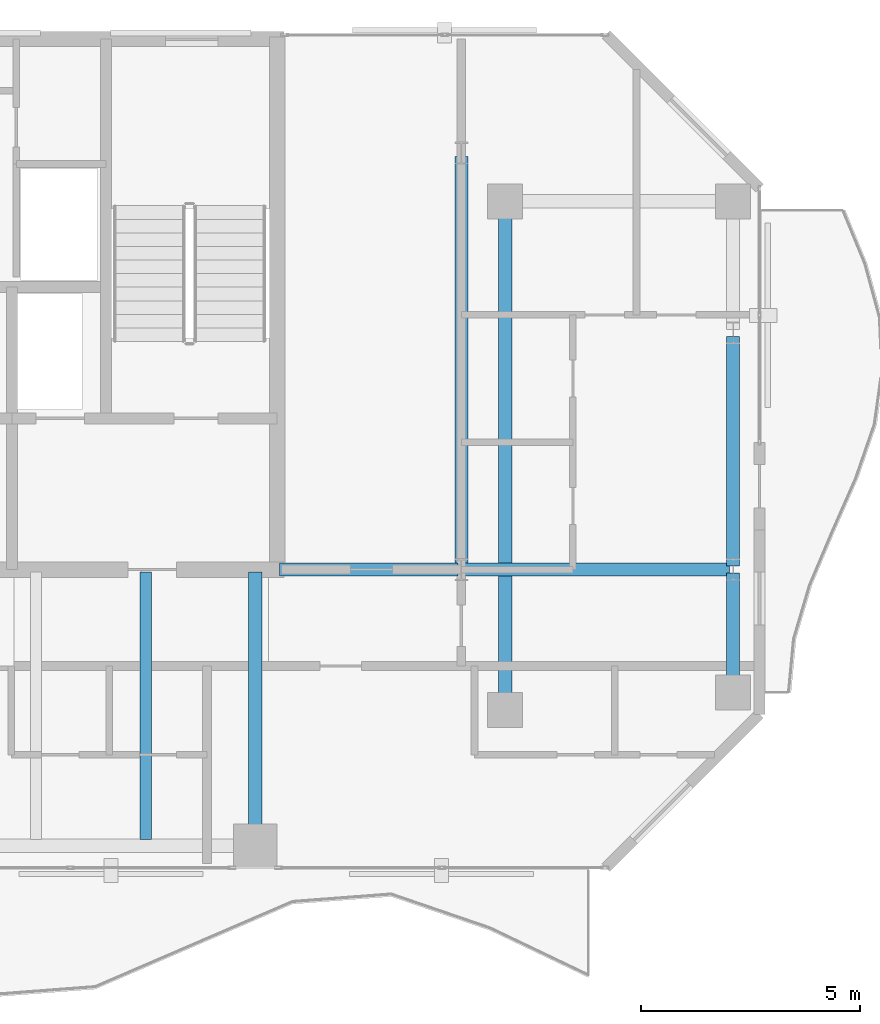
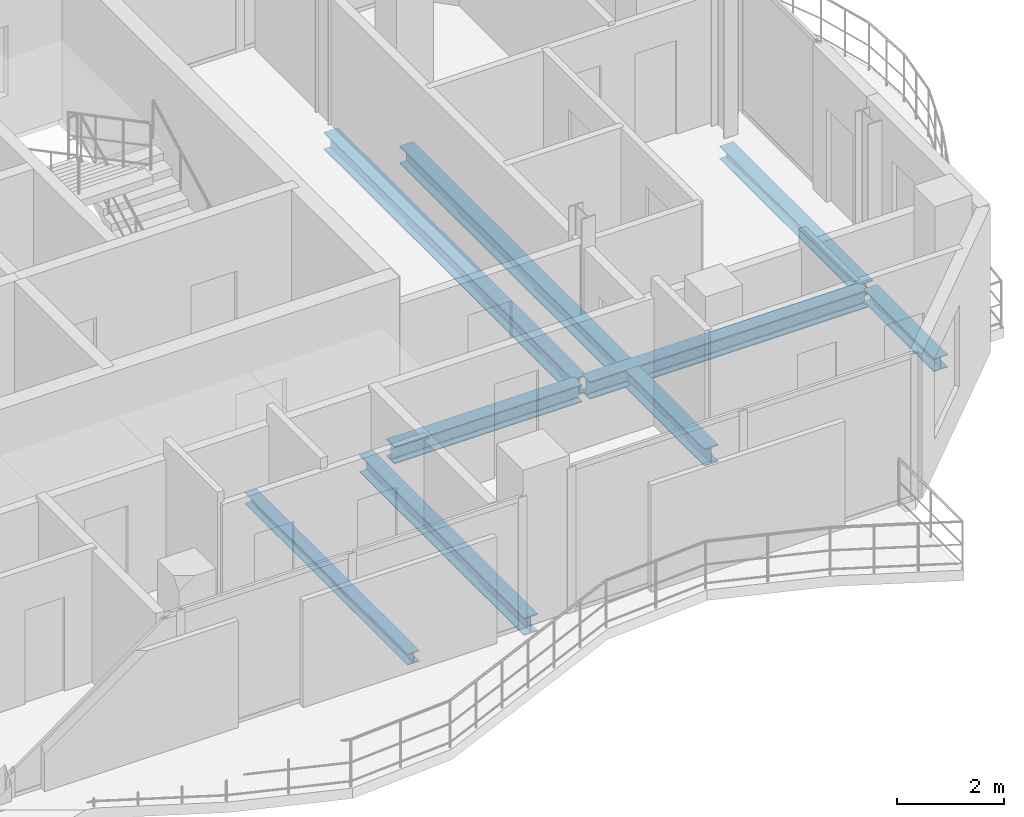
# One storey, part 13 of 23: 8 beams.
"""IFC4 building model written with IfcOpenShell, lengths in metres."""

from ifc_helpers import new_model, si_unit, direction, frame, origin, origin_2d, place, context, subcontext, project, spatial, i_section, extrude, material, material_profile, profile_set, type_object, element, save


model = new_model("IFC4")

# Units and contexts
model_context = context("Model", 3, precision=1e-05, world=origin(), true_north=direction((0.0, 1.0)))
body_context = subcontext(model_context, "Body", "Model", "MODEL_VIEW")
ifc_project = project(units=[si_unit("LENGTHUNIT", "METRE"), si_unit("AREAUNIT", "SQUARE_METRE"), si_unit("VOLUMEUNIT", "CUBIC_METRE"), si_unit("PLANEANGLEUNIT", "RADIAN"), si_unit("MASSUNIT", "GRAM", prefix="KILO")], contexts=[model_context])

# Site, building, storey
site_placement = place(None, origin())
site = spatial("IfcSite", under=ifc_project, at=site_placement, CompositionType="ELEMENT")
building_placement = place(site_placement, origin())
building = spatial("IfcBuilding", under=site, at=building_placement, Name="Catumbela Crestline Tower", CompositionType="ELEMENT")
storey_placement = place(building_placement, frame((0.0, 0.0, 175.8)))
storey = spatial("IfcBuildingStorey", under=building, at=storey_placement, Name="L45", CompositionType="ELEMENT", Elevation=175.8)

# Beams
ifc_material = material(Name="Structural steel S355J2", Category="steel")
ifc_material_profile_1 = material_profile(ifc_material, i_section(OverallWidth=0.3, OverallDepth=0.4, WebThickness=0.0135, FlangeThickness=0.024, FilletRadius=0.027, at=origin_2d()), Name="HEB 400")
ifc_profile_set_1 = profile_set([ifc_material_profile_1], Name="Structural steel S355J2")
beam_type_1 = type_object("IfcBeamType", Name="BG-HEB400", PredefinedType="BEAM", material=ifc_profile_set_1)
beam_1_placement = place(storey_placement, frame((40.05, 30.8, -0.46), z_axis=(1.0, 0.0, 0.0), x_axis=(0.0, 1.0, 0.0)))
element("IfcBeam", 1, at=beam_1_placement, inside=storey, type_object=beam_type_1, Name="L45 Beam BM-L45-M08", PredefinedType="BEAM", context=body_context, shape_type="SweptSolid", body=[
    extrude(i_section(OverallWidth=0.3, OverallDepth=0.4, WebThickness=0.0135, FlangeThickness=0.024, FilletRadius=0.027, at=origin_2d()), origin(), (0.0, 0.0, 1.0), 4.07),
])
beam_2_placement = place(storey_placement, frame((44.28, 30.8, -0.46), z_axis=(1.0, 0.0, 0.0), x_axis=(0.0, 1.0, 0.0)))
element("IfcBeam", 2, at=beam_2_placement, inside=storey, type_object=beam_type_1, Name="L45 Beam BM-L45-M09", PredefinedType="BEAM", context=body_context, shape_type="SweptSolid", body=[
    extrude(i_section(OverallWidth=0.3, OverallDepth=0.4, WebThickness=0.0135, FlangeThickness=0.024, FilletRadius=0.027, at=origin_2d()), origin(), (0.0, 0.0, 1.0), 6.04),
])
beam_3_placement = place(storey_placement, frame((39.5, 24.58, -0.46), z_axis=(0.0, 1.0, 0.0), x_axis=(-1.0, 0.0, 0.0)))
element("IfcBeam", 3, at=beam_3_placement, inside=storey, type_object=beam_type_1, Name="L45 Beam BM-L45-SNS20", PredefinedType="BEAM", context=body_context, shape_type="SweptSolid", body=[
    extrude(i_section(OverallWidth=0.3, OverallDepth=0.4, WebThickness=0.0135, FlangeThickness=0.024, FilletRadius=0.027, at=origin_2d()), origin(), (0.0, 0.0, 1.0), 6.17),
])
beam_4_placement = place(storey_placement, frame((44.2, 30.88, -0.46), z_axis=(0.0, 1.0, 0.0), x_axis=(-1.0, 0.0, 0.0)))
element("IfcBeam", 4, at=beam_4_placement, inside=storey, type_object=beam_type_1, Name="L45 Beam BM-L45-SN21", PredefinedType="BEAM", context=body_context, shape_type="SweptSolid", body=[
    extrude(i_section(OverallWidth=0.3, OverallDepth=0.4, WebThickness=0.0135, FlangeThickness=0.024, FilletRadius=0.027, at=origin_2d()), origin(), (0.0, 0.0, 1.0), 9.34),
])
beam_5_placement = place(storey_placement, frame((45.2, 27.68, -0.46), z_axis=(0.0, 1.0, 0.0), x_axis=(-1.0, 0.0, 0.0)))
element("IfcBeam", 5, at=beam_5_placement, inside=storey, type_object=beam_type_1, Name="L45 Beam BM-L45-SN22", PredefinedType="BEAM", context=body_context, shape_type="SweptSolid", body=[
    extrude(i_section(OverallWidth=0.3, OverallDepth=0.4, WebThickness=0.0135, FlangeThickness=0.024, FilletRadius=0.027, at=origin_2d()), origin(), (0.0, 0.0, 1.0), 11.44),
])
ifc_material_profile_2 = material_profile(ifc_material, i_section(OverallWidth=0.26, OverallDepth=0.25, WebThickness=0.0075, FlangeThickness=0.0125, FilletRadius=0.024, at=origin_2d()), Name="HEA 260")
ifc_profile_set_2 = profile_set([ifc_material_profile_2], Name="Structural steel S355J2")
beam_type_2 = type_object("IfcBeamType", Name="BJ-HEA260", PredefinedType="JOIST", material=ifc_profile_set_2)
beam_6_placement = place(storey_placement, frame((37.0, 24.647, -0.385), z_axis=(0.0, 1.0, 0.0), x_axis=(-1.0, 0.0, 0.0)))
element("IfcBeam", 6, at=beam_6_placement, inside=storey, type_object=beam_type_2, Name="L45 Joist JS-L45-SP31", PredefinedType="JOIST", context=body_context, shape_type="SweptSolid", body=[
    extrude(i_section(OverallWidth=0.26, OverallDepth=0.25, WebThickness=0.0075, FlangeThickness=0.0125, FilletRadius=0.024, at=origin_2d()), origin(), (0.0, 0.0, 1.0), 6.103),
])
ifc_material_profile_3 = material_profile(ifc_material, i_section(OverallWidth=0.3, OverallDepth=0.3, WebThickness=0.011, FlangeThickness=0.019, FilletRadius=0.027, at=origin_2d()), Name="HEB 300")
ifc_profile_set_3 = profile_set([ifc_material_profile_3], Name="Structural steel S355J2")
beam_type_3 = type_object("IfcBeamType", Name="BS-HEB300", PredefinedType="SPANDREL", material=ifc_profile_set_3)
beam_7_placement = place(storey_placement, frame((50.4, 28.08, -0.41), z_axis=(0.0, 1.0, 0.0), x_axis=(-1.0, 0.0, 0.0)))
element("IfcBeam", 7, at=beam_7_placement, inside=storey, type_object=beam_type_3, Name="L45 Spandrel SP-L45-SN23", PredefinedType="SPANDREL", context=body_context, shape_type="SweptSolid", body=[
    extrude(i_section(OverallWidth=0.3, OverallDepth=0.3, WebThickness=0.011, FlangeThickness=0.019, FilletRadius=0.027, at=origin_2d()), origin(), (0.0, 0.0, 1.0), 2.64),
])
beam_8_placement = place(storey_placement, frame((50.4, 30.88, -0.41), z_axis=(0.0, 1.0, 0.0), x_axis=(-1.0, 0.0, 0.0)))
element("IfcBeam", 8, at=beam_8_placement, inside=storey, type_object=beam_type_3, Name="L45 Spandrel SP-L45-SN24", PredefinedType="SPANDREL", context=body_context, shape_type="SweptSolid", body=[
    extrude(i_section(OverallWidth=0.3, OverallDepth=0.3, WebThickness=0.011, FlangeThickness=0.019, FilletRadius=0.027, at=origin_2d()), origin(), (0.0, 0.0, 1.0), 5.24),
])

save(model, "model.ifc")
